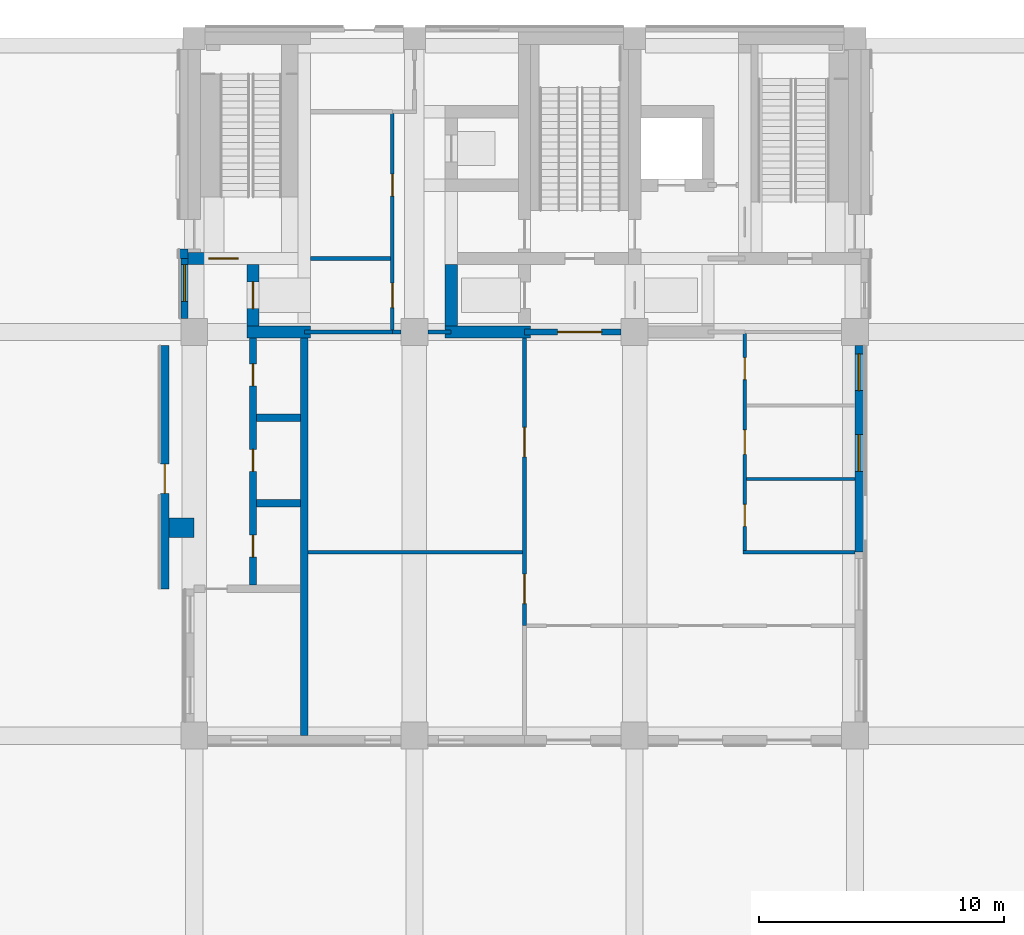
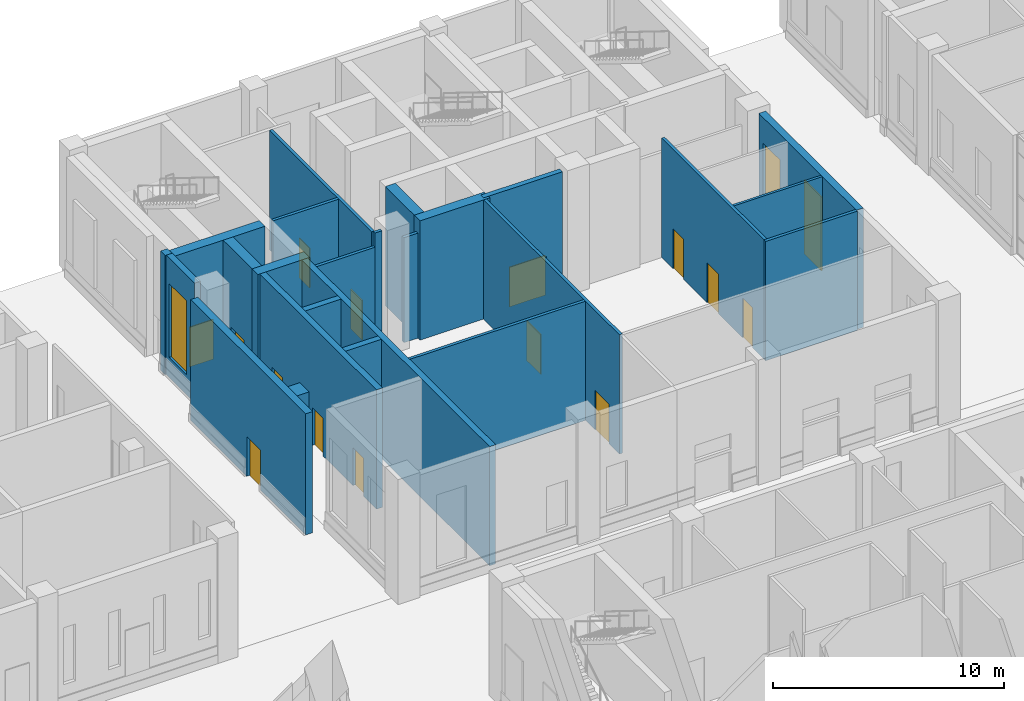
# One storey, part 13 of 35: 25 walls, 14 doors, 3 windows, 17 openings.
"""IFC4 building model written with IfcOpenShell, lengths in metres."""

import ifcopenshell
import ifcopenshell.guid

model = None  # the IFC model being written
_history = None  # IfcOwnerHistory: only IFC2X3 demands one
_inside = {}  # id of a spatial element -> (the spatial element, [elements in it])
_under = {}  # id of a project, library or spatial element -> (it, [spatial elements below it])
_declared = {}  # id of a project -> (the project, [libraries it declares])
_typed = {}  # id of a type object -> (the type object, [elements of that type])
_made_of = {}  # id of a material, layer set ... -> (it, [elements and type objects made of it])


def new_model(schema):
    """Start an empty IFC model of exactly this schema.

    Asked for "IFC4X3", IfcOpenShell would pick the latest addendum, in which some entities
    have other attributes; the version numbers below select the first issue.
    IFC2X3 requires an IfcOwnerHistory on every rooted entity: one is made here for all.
    """
    global model, _history
    if schema == "IFC4X3":
        model = ifcopenshell.file(schema_version=(4, 3, 0, 0))
    else:
        model = ifcopenshell.file(schema=schema)
    _inside.clear()
    _under.clear()
    _declared.clear()
    _typed.clear()
    _made_of.clear()
    _history = None
    if model.schema == "IFC2X3":
        org = make("IfcOrganization", Name="unknown")
        user = make(
            "IfcPersonAndOrganization",
            ThePerson=make("IfcPerson", FamilyName="unknown"),
            TheOrganization=org,
        )
        app = make(
            "IfcApplication",
            ApplicationDeveloper=org,
            Version="unknown",
            ApplicationFullName="unknown",
            ApplicationIdentifier="unknown",
        )
        _history = make(
            "IfcOwnerHistory",
            OwningUser=user,
            OwningApplication=app,
            ChangeAction="ADDED",
            CreationDate=0,
        )
    return model


def make(cls, **values):
    """One entity of the class cls with the attributes given. An attribute that is None is left unset."""
    return model.create_entity(
        cls, **{name: value for name, value in values.items() if value is not None}
    )


def rooted(cls, **values):
    """An entity with a GlobalId (a new one), such as an element, a storey or a relation."""
    return make(cls, GlobalId=ifcopenshell.guid.new(), OwnerHistory=_history, **values)


def si_unit(unit_type, name, prefix=None):
    """IfcSIUnit, for example si_unit("LENGTHUNIT", "METRE", prefix="MILLI")."""
    return make("IfcSIUnit", UnitType=unit_type, Prefix=prefix, Name=name)


def assignment(units):
    """IfcUnitAssignment: the units of a project."""
    return None if units is None else make("IfcUnitAssignment", Units=units)


def point(xyz):
    """IfcCartesianPoint."""
    return None if xyz is None else make("IfcCartesianPoint", Coordinates=xyz)


def direction(xyz):
    """IfcDirection."""
    return None if xyz is None else make("IfcDirection", DirectionRatios=xyz)


def frame(location, z_axis=None, x_axis=None):
    """IfcAxis2Placement3D, a coordinate frame: its origin and axes. An axis left out is left unset."""
    return make(
        "IfcAxis2Placement3D",
        Location=point(location),
        Axis=direction(z_axis),
        RefDirection=direction(x_axis),
    )


def frame_2d(location, x_axis=None):
    """IfcAxis2Placement2D, a coordinate frame in the plane: its origin and x axis."""
    return make(
        "IfcAxis2Placement2D", Location=point(location), RefDirection=direction(x_axis)
    )


def origin():
    """The frame at (0, 0, 0) with its axes left unset."""
    return frame((0.0, 0.0, 0.0))


def place(relative_to, where):
    """IfcLocalPlacement: puts the frame where relative to a parent placement (None: the world)."""
    return make(
        "IfcLocalPlacement", PlacementRelTo=relative_to, RelativePlacement=where
    )


def context(
    kind, dimensions, precision=None, world=None, true_north=None, identifier=None
):
    """IfcGeometricRepresentationContext, for example the 3D "Model" context."""
    return make(
        "IfcGeometricRepresentationContext",
        ContextIdentifier=identifier,
        ContextType=kind,
        CoordinateSpaceDimension=dimensions,
        Precision=precision,
        WorldCoordinateSystem=world,
        TrueNorth=true_north,
    )


def subcontext(parent, identifier, kind, view, scale=None):
    """IfcGeometricRepresentationSubContext, for example "Body" below "Model"."""
    return make(
        "IfcGeometricRepresentationSubContext",
        ContextIdentifier=identifier,
        ContextType=kind,
        ParentContext=parent,
        TargetScale=scale,
        TargetView=view,
    )


def project(units=None, contexts=None):
    """IfcProject with its units and contexts."""
    return rooted(
        "IfcProject",
        Name="project",
        RepresentationContexts=contexts,
        UnitsInContext=assignment(units),
    )


def spatial(cls, under=None, at=None, **own):
    """A site, building, storey or space (cls), placed at a placement, below another one or the project."""
    s = rooted(cls, ObjectPlacement=at, **own)
    if under is not None:
        _under.setdefault(under.id(), (under, []))[1].append(s)
    return s


def profile(cls, at=None, kind="AREA", **sizes):
    """A parametric profile (cls). Its sizes go by their IFC names, for example OverallWidth=200.0."""
    return make(cls, ProfileType=kind, Position=at, **sizes)


def rectangle(**sizes):
    """IfcRectangleProfileDef."""
    return profile("IfcRectangleProfileDef", **sizes)


def extrude(swept, where, along, depth):
    """IfcExtrudedAreaSolid: the profile swept, set in the frame where, extruded along a direction by depth."""
    return make(
        "IfcExtrudedAreaSolid",
        SweptArea=swept,
        Position=where,
        ExtrudedDirection=direction(along),
        Depth=depth,
    )


def shape(context_of_items, identifier, shape_type, items):
    """IfcShapeRepresentation: the items that make up one representation, for example the "Body"."""
    return make(
        "IfcShapeRepresentation",
        ContextOfItems=context_of_items,
        RepresentationIdentifier=identifier,
        RepresentationType=shape_type,
        Items=items,
    )


def material(Name=None, Category=None):
    """IfcMaterial."""
    return make("IfcMaterial", Name=Name, Category=Category)


def layer(
    of_material, thickness, ventilated=None, Name=None, Category=None, Priority=None
):
    """IfcMaterialLayer: one layer of a wall or slab, of a material (None: an air gap)."""
    return make(
        "IfcMaterialLayer",
        Material=of_material,
        LayerThickness=thickness,
        IsVentilated=ventilated,
        Name=Name,
        Category=Category,
        Priority=Priority,
    )


def layer_set(layers, Name=None):
    """IfcMaterialLayerSet."""
    return make("IfcMaterialLayerSet", MaterialLayers=layers, LayerSetName=Name)


def made_of(thing, what):
    """Note that an element or type object is made of a material, layer set ...; save() writes the relation."""
    if what is not None:
        _made_of.setdefault(what.id(), (what, []))[1].append(thing)
    return thing


def type_object(cls, material=None, **own):
    """A type object (cls), such as IfcWallType, which elements share."""
    return made_of(rooted(cls, **own), material)


def element(
    cls,
    number,
    at=None,
    inside=None,
    cuts=None,
    type_object=None,
    material=None,
    context=None,
    identifier="Body",
    shape_type=None,
    held_by="IfcProductDefinitionShape",
    body=None,
    shapes=None,
    **own,
):
    """One element of the class cls, such as IfcWall. Its Tag is "e" and its number.

    at: its placement. inside: the storey or other place that contains it. cuts: it is an
    opening in that element (IfcRelVoidsElement). A single representation is given by context,
    identifier, shape_type and body (its items); several are given by shapes. held_by: the class
    of the entity that holds the representations. save() writes the other relations.
    """
    e = rooted(cls, Tag="e%d" % number, ObjectPlacement=at, **own)
    if body is not None:
        shapes = [shape(context, identifier, shape_type, body)]
    if shapes is not None:
        e.Representation = make(held_by, Representations=shapes)
    if inside is not None:
        _inside.setdefault(inside.id(), (inside, []))[1].append(e)
    if cuts is not None:
        rooted(
            "IfcRelVoidsElement", RelatingBuildingElement=cuts, RelatedOpeningElement=e
        )
    if type_object is not None:
        _typed.setdefault(type_object.id(), (type_object, []))[1].append(e)
    return made_of(e, material)


def fill(opening, filler):
    """IfcRelFillsElement: the door or window that sits in an opening."""
    return rooted(
        "IfcRelFillsElement",
        RelatingOpeningElement=opening,
        RelatedBuildingElement=filler,
    )


def aggregate(whole, parts):
    """IfcRelAggregates: a whole, such as a stair, and the parts it consists of."""
    return rooted("IfcRelAggregates", RelatingObject=whole, RelatedObjects=parts)


def save(model, path):
    """Write the relations noted so far, then the file.

    IfcRelAggregates (storeys below a building ...), IfcRelContainedInSpatialStructure (elements
    in a storey), IfcRelDefinesByType, IfcRelAssociatesMaterial and IfcRelDeclares: one each for
    every whole, place, type object, material and project.
    """
    for whole, parts in _under.values():
        aggregate(whole, parts)
    for where, things in _inside.values():
        rooted(
            "IfcRelContainedInSpatialStructure",
            RelatedElements=things,
            RelatingStructure=where,
        )
    for kind, things in _typed.values():
        rooted("IfcRelDefinesByType", RelatedObjects=things, RelatingType=kind)
    for what, things in _made_of.values():
        rooted("IfcRelAssociatesMaterial", RelatedObjects=things, RelatingMaterial=what)
    for by, libraries in _declared.values():
        rooted("IfcRelDeclares", RelatingContext=by, RelatedDefinitions=libraries)
    model.write(path)


model = new_model("IFC4")

# Units and contexts
model_context = context("Model", 3, precision=1e-05, world=origin(), true_north=direction((0.0, 1.0)))
body_context = subcontext(model_context, "Body", "Model", "MODEL_VIEW")
ifc_project = project(units=[si_unit("LENGTHUNIT", "METRE"), si_unit("AREAUNIT", "SQUARE_METRE"), si_unit("VOLUMEUNIT", "CUBIC_METRE"), si_unit("PLANEANGLEUNIT", "RADIAN"), si_unit("MASSUNIT", "GRAM", prefix="KILO")], contexts=[model_context])

# Site, building, storey
site_placement = place(None, origin())
site = spatial("IfcSite", under=ifc_project, at=site_placement, CompositionType="ELEMENT")
building_placement = place(site_placement, origin())
building = spatial("IfcBuilding", under=site, at=building_placement, Name="Aurelan Courthouse", CompositionType="ELEMENT")
storey_placement = place(building_placement, origin())
storey = spatial("IfcBuildingStorey", under=building, at=storey_placement, Name="L00", CompositionType="ELEMENT", Elevation=0.0)

# Walls
ifc_material_1 = material(Name="Gypsum board on metal studs")
ifc_layer_1 = layer(ifc_material_1, 0.14990234375)
ifc_layer_set_1 = layer_set([ifc_layer_1], Name="Gypsum board on metal studs")
wall_type_1 = type_object("IfcWallType", Name="Corridor partition 150 EI 60", PredefinedType="PARTITIONING", material=ifc_layer_set_1)
wall_1_placement = place(storey_placement, frame((58.425048828125, 45.0, 0.0), z_axis=(0.0, 0.0, 1.0), x_axis=(1.0, 0.0, 0.0)))
element("IfcWall", 1, at=wall_1_placement, inside=storey, type_object=wall_type_1, Name="Corridor partition L00-029", PredefinedType="PARTITIONING", context=body_context, shape_type="SweptSolid", body=[
    extrude(rectangle(XDim=4.574951171875, YDim=0.14990234375, at=frame_2d((2.28759765625, 0.0))), origin(), (0.0, 0.0, 1.0), 6.300048828125),
])
wall_2_placement = place(storey_placement, frame((44.10009765625, 54.0, 0.0), z_axis=(0.0, 0.0, 1.0), x_axis=(1.0, 0.0, 0.0)))
element("IfcWall", 2, at=wall_2_placement, inside=storey, type_object=wall_type_1, Name="Corridor partition L00-041", PredefinedType="PARTITIONING", context=body_context, shape_type="SweptSolid", body=[
    extrude(rectangle(XDim=0.349853515625, YDim=0.14990234375, at=frame_2d((0.1748046875, 0.0))), origin(), (0.0, 0.0, 1.0), 6.300048828125),
])
wall_3_placement = place(storey_placement, frame((45.550048828125, 54.0, 0.0), z_axis=(0.0, 0.0, 1.0), x_axis=(1.0, 0.0, 0.0)))
element("IfcWall", 3, at=wall_3_placement, inside=storey, type_object=wall_type_1, Name="Corridor partition L00-042", PredefinedType="PARTITIONING", context=body_context, shape_type="SweptSolid", body=[
    extrude(rectangle(XDim=0.949951171875, YDim=0.14990234375, at=frame_2d((0.47509765625, 0.0))), origin(), (0.0, 0.0, 1.0), 5.550048828125),
])

# Wall, openings, doors
wall_4_placement = place(storey_placement, frame((44.10009765625, 54.074951171875, 0.0), z_axis=(0.0, 0.0, 1.0), x_axis=(0.0, 1.0, 0.0)))
wall_4 = element("IfcWall", 4, at=wall_4_placement, inside=storey, type_object=wall_type_1, Name="Corridor partition L00-074", PredefinedType="PARTITIONING", context=body_context, shape_type="SweptSolid", body=[
    extrude(rectangle(XDim=8.85009765625, YDim=0.14990234375, at=frame_2d((4.425048828125, 0.0))), origin(), (0.0, 0.0, 1.0), 6.300048828125),
])
opening_1_placement = place(wall_4_placement, frame((0.925048828125, 0.0, 0.0)))
opening_1 = element("IfcOpeningElement", 5, at=opening_1_placement, cuts=wall_4, Name="Opening D-L00-050", PredefinedType="OPENING", context=body_context, shape_type="SweptSolid", body=[
    extrude(rectangle(XDim=1.0, YDim=2.10009765625, at=frame_2d((0.5, 1.050048828125))), frame((0.0, 0.0849609375, 0.0), z_axis=(0.0, -1.0, 0.0), x_axis=(1.0, 0.0, 0.0)), (0.0, 0.0, 1.0), 0.169921875),
])
opening_2_placement = place(wall_4_placement, frame((5.47509765625, 0.0, 0.0)))
opening_2 = element("IfcOpeningElement", 6, at=opening_2_placement, cuts=wall_4, Name="Opening D-L00-051", PredefinedType="OPENING", context=body_context, shape_type="SweptSolid", body=[
    extrude(rectangle(XDim=0.89990234375, YDim=2.10009765625, at=frame_2d((0.449951171875, 1.050048828125))), frame((0.0, 0.0849609375, 0.0), z_axis=(0.0, -1.0, 0.0), x_axis=(1.0, 0.0, 0.0)), (0.0, 0.0, 1.0), 0.169921875),
])
ifc_material_2 = material(Name="Steel", Category="steel")
door_type_1 = type_object("IfcDoorType", Name="Single door 1000 x 2100 FD60", OperationType="SINGLE_SWING_LEFT", PredefinedType="DOOR", material=ifc_material_2)
door_1_placement = place(opening_1_placement, origin())
door_1 = element("IfcDoor", 7, at=door_1_placement, inside=storey, type_object=door_type_1, Name="Single door D-L00-050", OperationType="SINGLE_SWING_LEFT", OverallHeight=2.10009765625, OverallWidth=1.0, PredefinedType="DOOR", context=body_context, shape_type="SweptSolid", body=[
    extrude(rectangle(XDim=1.0, YDim=2.10009765625, at=frame_2d((0.5, 1.050048828125))), frame((0.0, 0.02490234375, 0.0), z_axis=(0.0, -1.0, 0.0), x_axis=(1.0, 0.0, 0.0)), (0.0, 0.0, 1.0), 0.050048828125),
])
fill(opening_1, door_1)
door_type_2 = type_object("IfcDoorType", Name="Single door 900 x 2100 FD60", OperationType="SINGLE_SWING_LEFT", PredefinedType="DOOR", material=ifc_material_2)
door_2_placement = place(opening_2_placement, origin())
door_2 = element("IfcDoor", 8, at=door_2_placement, inside=storey, type_object=door_type_2, Name="Single door D-L00-051", OperationType="SINGLE_SWING_RIGHT", OverallHeight=2.10009765625, OverallWidth=0.89990234375, PredefinedType="DOOR", context=body_context, shape_type="SweptSolid", body=[
    extrude(rectangle(XDim=0.89990234375, YDim=2.10009765625, at=frame_2d((0.449951171875, 1.050048828125))), frame((0.0, 0.02490234375, 0.0), z_axis=(0.0, -1.0, 0.0), x_axis=(1.0, 0.0, 0.0)), (0.0, 0.0, 1.0), 0.050048828125),
])
fill(opening_2, door_2)

wall_5_placement = place(storey_placement, frame((49.5, 42.0, 0.0), z_axis=(0.0, 0.0, 1.0), x_axis=(0.0, 1.0, 0.0)))
wall_5 = element("IfcWall", 9, at=wall_5_placement, inside=storey, type_object=wall_type_1, Name="Corridor partition L00-082", PredefinedType="PARTITIONING", context=body_context, shape_type="SweptSolid", body=[
    extrude(rectangle(XDim=12.0, YDim=0.14990234375, at=frame_2d((6.0, 0.0))), origin(), (0.0, 0.0, 1.0), 6.300048828125),
])
opening_3_placement = place(wall_5_placement, frame((0.89990234375, 0.0, 0.0)))
opening_3 = element("IfcOpeningElement", 10, at=opening_3_placement, cuts=wall_5, Name="Opening D-L00-043", PredefinedType="OPENING", context=body_context, shape_type="SweptSolid", body=[
    extrude(rectangle(XDim=1.199951171875, YDim=2.10009765625, at=frame_2d((0.60009765625, 1.050048828125))), frame((0.0, 0.0849609375, 0.0), z_axis=(0.0, -1.0, 0.0), x_axis=(1.0, 0.0, 0.0)), (0.0, 0.0, 1.0), 0.169921875),
])
opening_4_placement = place(wall_5_placement, frame((6.89990234375, 0.0, 0.0)))
opening_4 = element("IfcOpeningElement", 11, at=opening_4_placement, cuts=wall_5, Name="Opening D-L00-044", PredefinedType="OPENING", context=body_context, shape_type="SweptSolid", body=[
    extrude(rectangle(XDim=1.199951171875, YDim=2.10009765625, at=frame_2d((0.60009765625, 1.050048828125))), frame((0.0, 0.0849609375, 0.0), z_axis=(0.0, -1.0, 0.0), x_axis=(1.0, 0.0, 0.0)), (0.0, 0.0, 1.0), 0.169921875),
])
door_type_3 = type_object("IfcDoorType", Name="Single door 1200 x 2100 FD60", OperationType="SINGLE_SWING_LEFT", PredefinedType="DOOR", material=ifc_material_2)
door_3_placement = place(opening_3_placement, origin())
door_3 = element("IfcDoor", 12, at=door_3_placement, inside=storey, type_object=door_type_3, Name="Single door D-L00-043", OperationType="SINGLE_SWING_RIGHT", OverallHeight=2.10009765625, OverallWidth=1.199951171875, PredefinedType="DOOR", context=body_context, shape_type="SweptSolid", body=[
    extrude(rectangle(XDim=1.199951171875, YDim=2.10009765625, at=frame_2d((0.60009765625, 1.050048828125))), frame((0.0, 0.02490234375, 0.0), z_axis=(0.0, -1.0, 0.0), x_axis=(1.0, 0.0, 0.0)), (0.0, 0.0, 1.0), 0.050048828125),
])
fill(opening_3, door_3)
door_4_placement = place(opening_4_placement, origin())
door_4 = element("IfcDoor", 13, at=door_4_placement, inside=storey, type_object=door_type_3, Name="Single door D-L00-044", OperationType="SINGLE_SWING_LEFT", OverallHeight=2.10009765625, OverallWidth=1.199951171875, PredefinedType="DOOR", context=body_context, shape_type="SweptSolid", body=[
    extrude(rectangle(XDim=1.199951171875, YDim=2.10009765625, at=frame_2d((0.60009765625, 1.050048828125))), frame((0.0, 0.02490234375, 0.0), z_axis=(0.0, -1.0, 0.0), x_axis=(1.0, 0.0, 0.0)), (0.0, 0.0, 1.0), 0.050048828125),
])
fill(opening_4, door_4)

wall_6_placement = place(storey_placement, frame((58.5, 45.074951171875, 0.0), z_axis=(0.0, 0.0, 1.0), x_axis=(0.0, 1.0, 0.0)))
wall_6 = element("IfcWall", 14, at=wall_6_placement, inside=storey, type_object=wall_type_1, Name="Corridor partition L00-091", PredefinedType="PARTITIONING", context=body_context, shape_type="SweptSolid", body=[
    extrude(rectangle(XDim=8.862548828125, YDim=0.14990234375, at=frame_2d((4.43115234375, 0.0))), origin(), (0.0, 0.0, 1.0), 6.300048828125),
])
opening_5_placement = place(wall_6_placement, frame((1.875, 0.0, 0.0), z_axis=(0.0, 0.0, 1.0), x_axis=(-1.0, 0.0, 0.0)))
opening_5 = element("IfcOpeningElement", 15, at=opening_5_placement, cuts=wall_6, Name="Opening D-L00-045", PredefinedType="OPENING", context=body_context, shape_type="SweptSolid", body=[
    extrude(rectangle(XDim=0.89990234375, YDim=2.10009765625, at=frame_2d((0.449951171875, 1.050048828125))), frame((0.0, 0.0849609375, 0.0), z_axis=(0.0, -1.0, 0.0), x_axis=(1.0, 0.0, 0.0)), (0.0, 0.0, 1.0), 0.169921875),
])
opening_6_placement = place(wall_6_placement, frame((4.925048828125, 0.0, 0.0), z_axis=(0.0, 0.0, 1.0), x_axis=(-1.0, 0.0, 0.0)))
opening_6 = element("IfcOpeningElement", 16, at=opening_6_placement, cuts=wall_6, Name="Opening D-L00-046", PredefinedType="OPENING", context=body_context, shape_type="SweptSolid", body=[
    extrude(rectangle(XDim=1.0, YDim=2.10009765625, at=frame_2d((0.5, 1.050048828125))), frame((0.0, 0.0849609375, 0.0), z_axis=(0.0, -1.0, 0.0), x_axis=(1.0, 0.0, 0.0)), (0.0, 0.0, 1.0), 0.169921875),
])
opening_7_placement = place(wall_6_placement, frame((7.875, 0.0, 0.0), z_axis=(0.0, 0.0, 1.0), x_axis=(-1.0, 0.0, 0.0)))
opening_7 = element("IfcOpeningElement", 17, at=opening_7_placement, cuts=wall_6, Name="Opening D-L00-047", PredefinedType="OPENING", context=body_context, shape_type="SweptSolid", body=[
    extrude(rectangle(XDim=0.89990234375, YDim=2.10009765625, at=frame_2d((0.449951171875, 1.050048828125))), frame((0.0, 0.0849609375, 0.0), z_axis=(0.0, -1.0, 0.0), x_axis=(1.0, 0.0, 0.0)), (0.0, 0.0, 1.0), 0.169921875),
])
door_5_placement = place(opening_6_placement, origin())
door_5 = element("IfcDoor", 18, at=door_5_placement, inside=storey, type_object=door_type_1, Name="Single door D-L00-046", OperationType="SINGLE_SWING_RIGHT", OverallHeight=2.10009765625, OverallWidth=1.0, PredefinedType="DOOR", context=body_context, shape_type="SweptSolid", body=[
    extrude(rectangle(XDim=1.0, YDim=2.10009765625, at=frame_2d((0.5, 1.050048828125))), frame((0.0, 0.02490234375, 0.0), z_axis=(0.0, -1.0, 0.0), x_axis=(1.0, 0.0, 0.0)), (0.0, 0.0, 1.0), 0.050048828125),
])
fill(opening_6, door_5)
door_6_placement = place(opening_5_placement, origin())
door_6 = element("IfcDoor", 19, at=door_6_placement, inside=storey, type_object=door_type_2, Name="Single door D-L00-045", OperationType="SINGLE_SWING_LEFT", OverallHeight=2.10009765625, OverallWidth=0.89990234375, PredefinedType="DOOR", context=body_context, shape_type="SweptSolid", body=[
    extrude(rectangle(XDim=0.89990234375, YDim=2.10009765625, at=frame_2d((0.449951171875, 1.050048828125))), frame((0.0, 0.02490234375, 0.0), z_axis=(0.0, -1.0, 0.0), x_axis=(1.0, 0.0, 0.0)), (0.0, 0.0, 1.0), 0.050048828125),
])
fill(opening_5, door_6)
door_7_placement = place(opening_7_placement, origin())
door_7 = element("IfcDoor", 20, at=door_7_placement, inside=storey, type_object=door_type_2, Name="Single door D-L00-047", OperationType="SINGLE_SWING_LEFT", OverallHeight=2.10009765625, OverallWidth=0.89990234375, PredefinedType="DOOR", context=body_context, shape_type="SweptSolid", body=[
    extrude(rectangle(XDim=0.89990234375, YDim=2.10009765625, at=frame_2d((0.449951171875, 1.050048828125))), frame((0.0, 0.02490234375, 0.0), z_axis=(0.0, -1.0, 0.0), x_axis=(1.0, 0.0, 0.0)), (0.0, 0.0, 1.0), 0.050048828125),
])
fill(opening_7, door_7)

# Wall, opening, window
ifc_material_3 = material(Name="Granite cladding", Category="masonry")
ifc_layer_2 = layer(ifc_material_3, 0.0849609375, Name="Facing")
ifc_material_4 = material(Name="Ventilated cavity")
ifc_layer_3 = layer(ifc_material_4, 0.02490234375, ventilated=True, Name="Ventilated cavity")
ifc_material_5 = material(Name="Mineral wool insulation")
ifc_layer_4 = layer(ifc_material_5, 0.044921875, Name="Insulation")
ifc_material_6 = material(Name="Concrete C30", Category="concrete")
ifc_layer_5 = layer(ifc_material_6, 0.14501953125, Name="Structure")
ifc_layer_set_2 = layer_set([ifc_layer_2, ifc_layer_3, ifc_layer_4, ifc_layer_5], Name="Concrete C30")
wall_type_2 = type_object("IfcWallType", Name="Courtroom Block granite-faced wall 300", PredefinedType="SOLIDWALL", material=ifc_layer_set_2)
wall_7_placement = place(storey_placement, frame((35.60009765625, 54.550048828125, 0.0), z_axis=(0.0, 0.0, 1.0), x_axis=(0.0, 1.0, 0.0)))
wall_7 = element("IfcWall", 21, at=wall_7_placement, inside=storey, type_object=wall_type_2, Name="Facade wall FW-V2-L00-015", PredefinedType="SOLIDWALL", context=body_context, shape_type="SweptSolid", body=[
    extrude(rectangle(XDim=2.449951171875, YDim=0.300048828125, at=frame_2d((1.22509765625, 0.0))), origin(), (0.0, 0.0, 1.0), 6.300048828125),
])
opening_8_placement = place(wall_7_placement, frame((0.699951171875, 0.0, 1.050048828125)))
opening_8 = element("IfcOpeningElement", 22, at=opening_8_placement, cuts=wall_7, Name="Opening WN-V2-L00-015", PredefinedType="OPENING", context=body_context, shape_type="SweptSolid", body=[
    extrude(rectangle(XDim=1.5, YDim=3.89990234375, at=frame_2d((0.75, 1.949951171875))), frame((0.0, 0.159912109375, 0.0), z_axis=(0.0, -1.0, 0.0), x_axis=(1.0, 0.0, 0.0)), (0.0, 0.0, 1.0), 0.320068359375),
])
ifc_material_7 = material(Name="Bronze-finished aluminium and glass", Category="aluminium")
window_type = type_object("IfcWindowType", Name="Courtroom Block glazed slot 1500 x 3900, sill 1050", PartitioningType="SINGLE_PANEL", PredefinedType="WINDOW", material=ifc_material_7)
window_1_placement = place(opening_8_placement, origin())
window_1 = element("IfcWindow", 23, at=window_1_placement, inside=storey, type_object=window_type, Name="Glazed slot WN-V2-L00-015", OverallHeight=3.89990234375, OverallWidth=1.5, PartitioningType="SINGLE_PANEL", PredefinedType="WINDOW", context=body_context, shape_type="SweptSolid", body=[
    extrude(rectangle(XDim=1.5, YDim=3.89990234375, at=frame_2d((0.75, 1.949951171875))), frame((0.0, 0.030029296875, 0.0), z_axis=(0.0, -1.0, 0.0), x_axis=(1.0, 0.0, 0.0)), (0.0, 0.0, 1.0), 0.06005859375),
])
fill(opening_8, window_1)

# Wall, openings, windows
ifc_layer_6 = layer(ifc_material_3, 0.10009765625, Name="Facing")
ifc_layer_7 = layer(ifc_material_4, 0.02490234375, ventilated=True, Name="Ventilated cavity")
ifc_layer_8 = layer(ifc_material_5, 0.050048828125, Name="Insulation")
ifc_layer_9 = layer(ifc_material_6, 0.175048828125, Name="Structure")
ifc_layer_set_3 = layer_set([ifc_layer_6, ifc_layer_7, ifc_layer_8, ifc_layer_9], Name="Concrete C30")
wall_type_3 = type_object("IfcWallType", Name="Courtroom Block granite-faced wall 350", PredefinedType="SOLIDWALL", material=ifc_layer_set_3)
wall_8_placement = place(storey_placement, frame((63.175048828125, 45.0, 0.0), z_axis=(0.0, 0.0, 1.0), x_axis=(0.0, 1.0, 0.0)))
wall_8 = element("IfcWall", 24, at=wall_8_placement, inside=storey, type_object=wall_type_3, Name="Facade wall FW-V2-L00-009", PredefinedType="SOLIDWALL", context=body_context, shape_type="SweptSolid", body=[
    extrude(rectangle(XDim=8.449951171875, YDim=0.35009765625, at=frame_2d((4.22509765625, 0.0))), origin(), (0.0, 0.0, 1.0), 6.300048828125),
])
opening_9_placement = place(wall_8_placement, frame((3.300048828125, 0.0, 1.050048828125)))
opening_9 = element("IfcOpeningElement", 25, at=opening_9_placement, cuts=wall_8, Name="Opening WN-V2-L00-010", PredefinedType="OPENING", context=body_context, shape_type="SweptSolid", body=[
    extrude(rectangle(XDim=1.5, YDim=3.89990234375, at=frame_2d((0.75, 1.949951171875))), frame((0.0, 0.18505859375, 0.0), z_axis=(0.0, -1.0, 0.0), x_axis=(1.0, 0.0, 0.0)), (0.0, 0.0, 1.0), 0.3701171875),
])
opening_10_placement = place(wall_8_placement, frame((6.60009765625, 0.0, 1.050048828125)))
opening_10 = element("IfcOpeningElement", 26, at=opening_10_placement, cuts=wall_8, Name="Opening WN-V2-L00-011", PredefinedType="OPENING", context=body_context, shape_type="SweptSolid", body=[
    extrude(rectangle(XDim=1.5, YDim=3.89990234375, at=frame_2d((0.75, 1.949951171875))), frame((0.0, 0.18505859375, 0.0), z_axis=(0.0, -1.0, 0.0), x_axis=(1.0, 0.0, 0.0)), (0.0, 0.0, 1.0), 0.3701171875),
])
window_2_placement = place(opening_9_placement, origin())
window_2 = element("IfcWindow", 27, at=window_2_placement, inside=storey, type_object=window_type, Name="Glazed slot WN-V2-L00-010", OverallHeight=3.89990234375, OverallWidth=1.5, PartitioningType="SINGLE_PANEL", PredefinedType="WINDOW", context=body_context, shape_type="SweptSolid", body=[
    extrude(rectangle(XDim=1.5, YDim=3.89990234375, at=frame_2d((0.75, 1.949951171875))), frame((0.0, 0.030029296875, 0.0), z_axis=(0.0, -1.0, 0.0), x_axis=(1.0, 0.0, 0.0)), (0.0, 0.0, 1.0), 0.06005859375),
])
fill(opening_9, window_2)
window_3_placement = place(opening_10_placement, origin())
window_3 = element("IfcWindow", 28, at=window_3_placement, inside=storey, type_object=window_type, Name="Glazed slot WN-V2-L00-011", OverallHeight=3.89990234375, OverallWidth=1.5, PartitioningType="SINGLE_PANEL", PredefinedType="WINDOW", context=body_context, shape_type="SweptSolid", body=[
    extrude(rectangle(XDim=1.5, YDim=3.89990234375, at=frame_2d((0.75, 1.949951171875))), frame((0.0, 0.030029296875, 0.0), z_axis=(0.0, -1.0, 0.0), x_axis=(1.0, 0.0, 0.0)), (0.0, 0.0, 1.0), 0.06005859375),
])
fill(opening_10, window_3)

# Wall, opening, door
wall_9_placement = place(storey_placement, frame((34.800048828125, 43.5, 0.0), z_axis=(0.0, 0.0, 1.0), x_axis=(0.0, 1.0, 0.0)))
wall_9 = element("IfcWall", 29, at=wall_9_placement, inside=storey, type_object=wall_type_3, Name="Facade wall FW-V2-L00-014", PredefinedType="SOLIDWALL", context=body_context, shape_type="SweptSolid", body=[
    extrude(rectangle(XDim=9.949951171875, YDim=0.35009765625, at=frame_2d((4.97509765625, 0.0))), origin(), (0.0, 0.0, 1.0), 6.39990234375),
])
opening_11_placement = place(wall_9_placement, frame((3.89990234375, 0.0, 0.0)))
opening_11 = element("IfcOpeningElement", 30, at=opening_11_placement, cuts=wall_9, Name="Opening D-L00-031", PredefinedType="OPENING", context=body_context, shape_type="SweptSolid", body=[
    extrude(rectangle(XDim=1.199951171875, YDim=2.10009765625, at=frame_2d((0.60009765625, 1.050048828125))), frame((0.0, 0.18505859375, 0.0), z_axis=(0.0, -1.0, 0.0), x_axis=(1.0, 0.0, 0.0)), (0.0, 0.0, 1.0), 0.3701171875),
])
ifc_material_8 = material(Name="Bronze-clad timber", Category="wood")
door_type_4 = type_object("IfcDoorType", Name="Bronze single door 1200 x 2100", OperationType="SINGLE_SWING_LEFT", PredefinedType="DOOR", material=ifc_material_8)
door_8_placement = place(opening_11_placement, origin())
door_8 = element("IfcDoor", 31, at=door_8_placement, inside=storey, type_object=door_type_4, Name="Exit door D-L00-031", OperationType="SINGLE_SWING_RIGHT", OverallHeight=2.10009765625, OverallWidth=1.199951171875, PredefinedType="DOOR", context=body_context, shape_type="SweptSolid", body=[
    extrude(rectangle(XDim=1.199951171875, YDim=2.10009765625, at=frame_2d((0.60009765625, 1.050048828125))), frame((0.0, 0.02490234375, 0.0), z_axis=(0.0, -1.0, 0.0), x_axis=(1.0, 0.0, 0.0)), (0.0, 0.0, 1.0), 0.050048828125),
])
fill(opening_11, door_8)

# Walls
wall_10_placement = place(storey_placement, frame((35.574951171875, 57.0, 0.0), z_axis=(0.0, 0.0, 1.0), x_axis=(0.0, 1.0, 0.0)))
element("IfcWall", 32, at=wall_10_placement, inside=storey, type_object=wall_type_3, Name="Facade wall FW-V2-L00-016", PredefinedType="SOLIDWALL", context=body_context, shape_type="SweptSolid", body=[
    extrude(rectangle(XDim=0.39990234375, YDim=0.35009765625, at=frame_2d((0.199951171875, 0.0))), origin(), (0.0, 0.0, 1.0), 6.300048828125),
])
ifc_layer_10 = layer(ifc_material_6, 0.300048828125)
ifc_layer_set_4 = layer_set([ifc_layer_10], Name="Concrete C30")
wall_type_4 = type_object("IfcWallType", Name="Custody wall 300 EI 120", PredefinedType="PARTITIONING", material=ifc_layer_set_4)
for number, where, z_axis, x_axis, name in (
    (33, (38.550048828125, 47.0, 0.0), (0.0, 0.0, 1.0), (1.0, 0.0, 0.0), "Custody wall L00-032"),
    (34, (38.550048828125, 50.5, 0.0), (0.0, 0.0, 1.0), (1.0, 0.0, 0.0), "Custody wall L00-037"),
):
    element("IfcWall", number, at=place(storey_placement, frame(where, z_axis=z_axis, x_axis=x_axis)), inside=storey, type_object=wall_type_4, Name=name, PredefinedType="PARTITIONING", context=body_context, shape_type="SweptSolid", body=[
        extrude(rectangle(XDim=1.800048828125, YDim=0.300048828125, at=frame_2d((0.89990234375, 0.0))), origin(), (0.0, 0.0, 1.0), 6.300048828125),
    ])

# Wall, openings, doors
wall_11_placement = place(storey_placement, frame((38.39990234375, 43.64990234375, 0.0), z_axis=(0.0, 0.0, 1.0), x_axis=(0.0, 1.0, 0.0)))
wall_11 = element("IfcWall", 35, at=wall_11_placement, inside=storey, type_object=wall_type_4, Name="Custody wall L00-072", PredefinedType="PARTITIONING", context=body_context, shape_type="SweptSolid", body=[
    extrude(rectangle(XDim=10.35009765625, YDim=0.300048828125, at=frame_2d((5.175048828125, 0.0))), origin(), (0.0, 0.0, 1.0), 6.300048828125),
])
opening_12_placement = place(wall_11_placement, frame((2.0498046875, 0.0, 0.0), z_axis=(0.0, 0.0, 1.0), x_axis=(-1.0, 0.0, 0.0)))
opening_12 = element("IfcOpeningElement", 36, at=opening_12_placement, cuts=wall_11, Name="Opening D-L00-034", PredefinedType="OPENING", context=body_context, shape_type="SweptSolid", body=[
    extrude(rectangle(XDim=0.89990234375, YDim=2.0, at=frame_2d((0.449951171875, 1.0))), frame((0.0, 0.159912109375, 0.0), z_axis=(0.0, -1.0, 0.0), x_axis=(1.0, 0.0, 0.0)), (0.0, 0.0, 1.0), 0.320068359375),
])
opening_13_placement = place(wall_11_placement, frame((5.5498046875, 0.0, 0.0), z_axis=(0.0, 0.0, 1.0), x_axis=(-1.0, 0.0, 0.0)))
opening_13 = element("IfcOpeningElement", 37, at=opening_13_placement, cuts=wall_11, Name="Opening D-L00-035", PredefinedType="OPENING", context=body_context, shape_type="SweptSolid", body=[
    extrude(rectangle(XDim=0.89990234375, YDim=2.0, at=frame_2d((0.449951171875, 1.0))), frame((0.0, 0.159912109375, 0.0), z_axis=(0.0, -1.0, 0.0), x_axis=(1.0, 0.0, 0.0)), (0.0, 0.0, 1.0), 0.320068359375),
])
opening_14_placement = place(wall_11_placement, frame((9.0498046875, 0.0, 0.0), z_axis=(0.0, 0.0, 1.0), x_axis=(-1.0, 0.0, 0.0)))
opening_14 = element("IfcOpeningElement", 38, at=opening_14_placement, cuts=wall_11, Name="Opening D-L00-036", PredefinedType="OPENING", context=body_context, shape_type="SweptSolid", body=[
    extrude(rectangle(XDim=0.89990234375, YDim=2.0, at=frame_2d((0.449951171875, 1.0))), frame((0.0, 0.159912109375, 0.0), z_axis=(0.0, -1.0, 0.0), x_axis=(1.0, 0.0, 0.0)), (0.0, 0.0, 1.0), 0.320068359375),
])
door_type_5 = type_object("IfcDoorType", Name="Single door 900 x 2000 FD90", OperationType="SINGLE_SWING_LEFT", PredefinedType="DOOR", material=ifc_material_2)
door_9_placement = place(opening_12_placement, origin())
door_9 = element("IfcDoor", 39, at=door_9_placement, inside=storey, type_object=door_type_5, Name="Single door D-L00-034", OperationType="SINGLE_SWING_RIGHT", OverallHeight=2.0, OverallWidth=0.89990234375, PredefinedType="DOOR", context=body_context, shape_type="SweptSolid", body=[
    extrude(rectangle(XDim=0.89990234375, YDim=2.0, at=frame_2d((0.449951171875, 1.0))), frame((0.0, 0.02490234375, 0.0), z_axis=(0.0, -1.0, 0.0), x_axis=(1.0, 0.0, 0.0)), (0.0, 0.0, 1.0), 0.050048828125),
])
fill(opening_12, door_9)
door_10_placement = place(opening_13_placement, origin())
door_10 = element("IfcDoor", 40, at=door_10_placement, inside=storey, type_object=door_type_5, Name="Single door D-L00-035", OperationType="SINGLE_SWING_LEFT", OverallHeight=2.0, OverallWidth=0.89990234375, PredefinedType="DOOR", context=body_context, shape_type="SweptSolid", body=[
    extrude(rectangle(XDim=0.89990234375, YDim=2.0, at=frame_2d((0.449951171875, 1.0))), frame((0.0, 0.02490234375, 0.0), z_axis=(0.0, -1.0, 0.0), x_axis=(1.0, 0.0, 0.0)), (0.0, 0.0, 1.0), 0.050048828125),
])
fill(opening_13, door_10)
door_11_placement = place(opening_14_placement, origin())
door_11 = element("IfcDoor", 41, at=door_11_placement, inside=storey, type_object=door_type_5, Name="Single door D-L00-036", OperationType="SINGLE_SWING_RIGHT", OverallHeight=2.0, OverallWidth=0.89990234375, PredefinedType="DOOR", context=body_context, shape_type="SweptSolid", body=[
    extrude(rectangle(XDim=0.89990234375, YDim=2.0, at=frame_2d((0.449951171875, 1.0))), frame((0.0, 0.02490234375, 0.0), z_axis=(0.0, -1.0, 0.0), x_axis=(1.0, 0.0, 0.0)), (0.0, 0.0, 1.0), 0.050048828125),
])
fill(opening_14, door_11)

# Walls
wall_12_placement = place(storey_placement, frame((40.5, 37.5, 0.0), z_axis=(0.0, 0.0, 1.0), x_axis=(0.0, 1.0, 0.0)))
element("IfcWall", 42, at=wall_12_placement, inside=storey, type_object=wall_type_4, Name="Custody wall L00-073", PredefinedType="PARTITIONING", context=body_context, shape_type="SweptSolid", body=[
    extrude(rectangle(XDim=16.5, YDim=0.300048828125, at=frame_2d((8.25, 0.0))), origin(), (0.0, 0.0, 1.0), 6.300048828125),
])
ifc_layer_11 = layer(ifc_material_1, 0.14990234375)
ifc_layer_set_5 = layer_set([ifc_layer_11], Name="Gypsum board on metal studs")
wall_type_5 = type_object("IfcWallType", Name="Partition 150 NOT RATED", PredefinedType="PARTITIONING", material=ifc_layer_set_5)
wall_13_placement = place(storey_placement, frame((40.64990234375, 45.0, 0.0), z_axis=(0.0, 0.0, 1.0), x_axis=(1.0, 0.0, 0.0)))
element("IfcWall", 43, at=wall_13_placement, inside=storey, type_object=wall_type_5, Name="Partition L00-028", PredefinedType="PARTITIONING", context=body_context, shape_type="SweptSolid", body=[
    extrude(rectangle(XDim=8.775146484375, YDim=0.14990234375, at=frame_2d((4.3876953125, 0.0))), origin(), (0.0, 0.0, 1.0), 6.300048828125),
])
wall_14_placement = place(storey_placement, frame((40.5, 54.0, 0.0), z_axis=(0.0, 0.0, 1.0), x_axis=(1.0, 0.0, 0.0)))
element("IfcWall", 44, at=wall_14_placement, inside=storey, type_object=wall_type_5, Name="Partition L00-040", PredefinedType="PARTITIONING", context=body_context, shape_type="SweptSolid", body=[
    extrude(rectangle(XDim=3.60009765625, YDim=0.14990234375, at=frame_2d((1.800048828125, 0.0))), origin(), (0.0, 0.0, 1.0), 5.550048828125),
])
wall_15_placement = place(storey_placement, frame((40.75, 57.0, 0.0), z_axis=(0.0, 0.0, 1.0), x_axis=(1.0, 0.0, 0.0)))
element("IfcWall", 45, at=wall_15_placement, inside=storey, type_object=wall_type_5, Name="Partition L00-049", PredefinedType="PARTITIONING", context=body_context, shape_type="SweptSolid", body=[
    extrude(rectangle(XDim=3.27490234375, YDim=0.14990234375, at=frame_2d((1.637451171875, 0.0))), origin(), (0.0, 0.0, 1.0), 6.300048828125),
])
ifc_material_9 = material(Name="Concrete C50", Category="concrete")
ifc_layer_12 = layer(ifc_material_9, 1.02490234375)
ifc_layer_set_6 = layer_set([ifc_layer_12], Name="Concrete C50")
wall_type_6 = type_object("IfcWallType", Name="RC bearing pier 1025 x 800", PredefinedType="SOLIDWALL", material=ifc_layer_set_6)
wall_16_placement = place(storey_placement, frame((35.487548828125, 45.60009765625, 0.0), z_axis=(0.0, 0.0, 1.0), x_axis=(0.0, 1.0, 0.0)))
element("IfcWall", 46, at=wall_16_placement, inside=storey, type_object=wall_type_6, Name="Bearing pier BP-2", PredefinedType="SOLIDWALL", context=body_context, shape_type="SweptSolid", body=[
    extrude(rectangle(XDim=0.7998046875, YDim=1.02490234375, at=frame_2d((0.39990234375, 0.0))), origin(), (0.0, 0.0, 1.0), 5.800048828125),
])
ifc_layer_13 = layer(ifc_material_9, 0.5)
ifc_layer_set_7 = layer_set([ifc_layer_13], Name="Concrete C50")
wall_type_7 = type_object("IfcWallType", Name="RC shear wall 500", PredefinedType="SHEAR", material=ifc_layer_set_7)
wall_17_placement = place(storey_placement, frame((38.14990234375, 54.0, 0.0), z_axis=(0.0, 0.0, 1.0), x_axis=(1.0, 0.0, 0.0)))
element("IfcWall", 47, at=wall_17_placement, inside=storey, type_object=wall_type_7, Name="Core wall SW-L00-050", PredefinedType="SHEAR", context=body_context, shape_type="SweptSolid", body=[
    extrude(rectangle(XDim=2.60009765625, YDim=0.5, at=frame_2d((1.300048828125, 0.0))), origin(), (0.0, 0.0, 1.0), 6.300048828125),
])
wall_18_placement = place(storey_placement, frame((46.25, 54.0, 0.0), z_axis=(0.0, 0.0, 1.0), x_axis=(1.0, 0.0, 0.0)))
element("IfcWall", 48, at=wall_18_placement, inside=storey, type_object=wall_type_7, Name="Core wall SW-L00-051", PredefinedType="SHEAR", context=body_context, shape_type="SweptSolid", body=[
    extrude(rectangle(XDim=3.5, YDim=0.5, at=frame_2d((1.75, 0.0))), origin(), (0.0, 0.0, 1.0), 6.300048828125),
])

# Wall, opening, door
wall_19_placement = place(storey_placement, frame((38.39990234375, 54.25, 0.0), z_axis=(0.0, 0.0, 1.0), x_axis=(0.0, 1.0, 0.0)))
wall_19 = element("IfcWall", 49, at=wall_19_placement, inside=storey, type_object=wall_type_7, Name="Core wall SW-L00-053", PredefinedType="SHEAR", context=body_context, shape_type="SweptSolid", body=[
    extrude(rectangle(XDim=2.5, YDim=0.5, at=frame_2d((1.25, 0.0))), origin(), (0.0, 0.0, 1.0), 6.300048828125),
])
opening_15_placement = place(wall_19_placement, frame((0.699951171875, 0.0, 0.0)))
opening_15 = element("IfcOpeningElement", 50, at=opening_15_placement, cuts=wall_19, Name="Opening LD-V2-C1-L00", PredefinedType="OPENING", context=body_context, shape_type="SweptSolid", body=[
    extrude(rectangle(XDim=1.10009765625, YDim=2.10009765625, at=frame_2d((0.550048828125, 1.050048828125))), frame((0.0, 0.260009765625, 0.0), z_axis=(0.0, -1.0, 0.0), x_axis=(1.0, 0.0, 0.0)), (0.0, 0.0, 1.0), 0.52001953125),
])
door_type_6 = type_object("IfcDoorType", Name="Lift landing door 1100 x 2100 FD90", OperationType="SLIDING_TO_LEFT", PredefinedType="DOOR", material=ifc_material_2)
door_12_placement = place(opening_15_placement, origin())
door_12 = element("IfcDoor", 51, at=door_12_placement, inside=storey, type_object=door_type_6, Name="Lift landing door LD-V2-C1-L00", OperationType="SLIDING_TO_LEFT", OverallHeight=2.10009765625, OverallWidth=1.10009765625, PredefinedType="DOOR", context=body_context, shape_type="SweptSolid", body=[
    extrude(rectangle(XDim=1.10009765625, YDim=2.10009765625, at=frame_2d((0.550048828125, 1.050048828125))), frame((0.0, 0.02490234375, 0.0), z_axis=(0.0, -1.0, 0.0), x_axis=(1.0, 0.0, 0.0)), (0.0, 0.0, 1.0), 0.050048828125),
])
fill(opening_15, door_12)

# Wall
wall_20_placement = place(storey_placement, frame((46.5, 54.25, 0.0), z_axis=(0.0, 0.0, 1.0), x_axis=(0.0, 1.0, 0.0)))
element("IfcWall", 52, at=wall_20_placement, inside=storey, type_object=wall_type_7, Name="Core wall SW-L00-055", PredefinedType="SHEAR", context=body_context, shape_type="SweptSolid", body=[
    extrude(rectangle(XDim=2.5, YDim=0.5, at=frame_2d((1.25, 0.0))), origin(), (0.0, 0.0, 1.0), 6.300048828125),
])

# Wall, opening, door
wall_21_placement = place(storey_placement, frame((35.75, 57.0, 0.0), z_axis=(0.0, 0.0, 1.0), x_axis=(1.0, 0.0, 0.0)))
wall_21 = element("IfcWall", 53, at=wall_21_placement, inside=storey, type_object=wall_type_7, Name="Core wall SW-L00-060", PredefinedType="SHEAR", context=body_context, shape_type="SweptSolid", body=[
    extrude(rectangle(XDim=4.5, YDim=0.5, at=frame_2d((2.25, 0.0))), origin(), (0.0, 0.0, 1.0), 6.300048828125),
])
opening_16_placement = place(wall_21_placement, frame((0.85009765625, 0.0, 0.0)))
opening_16 = element("IfcOpeningElement", 54, at=opening_16_placement, cuts=wall_21, Name="Opening D-L00-021", PredefinedType="OPENING", context=body_context, shape_type="SweptSolid", body=[
    extrude(rectangle(XDim=1.199951171875, YDim=2.10009765625, at=frame_2d((0.60009765625, 1.050048828125))), frame((0.0, 0.260009765625, 0.0), z_axis=(0.0, -1.0, 0.0), x_axis=(1.0, 0.0, 0.0)), (0.0, 0.0, 1.0), 0.52001953125),
])
door_type_7 = type_object("IfcDoorType", Name="Single door 1200 x 2100 FD90", OperationType="SINGLE_SWING_LEFT", PredefinedType="DOOR", material=ifc_material_2)
door_13_placement = place(opening_16_placement, origin())
door_13 = element("IfcDoor", 55, at=door_13_placement, inside=storey, type_object=door_type_7, Name="Single door D-L00-021", OperationType="SINGLE_SWING_LEFT", OverallHeight=2.10009765625, OverallWidth=1.199951171875, PredefinedType="DOOR", context=body_context, shape_type="SweptSolid", body=[
    extrude(rectangle(XDim=1.199951171875, YDim=2.10009765625, at=frame_2d((0.60009765625, 1.050048828125))), frame((0.0, 0.02490234375, 0.0), z_axis=(0.0, -1.0, 0.0), x_axis=(1.0, 0.0, 0.0)), (0.0, 0.0, 1.0), 0.050048828125),
])
fill(opening_16, door_13)

ifc_layer_14 = layer(ifc_material_6, 0.25)
ifc_layer_set_8 = layer_set([ifc_layer_14], Name="Concrete C30")
wall_type_8 = type_object("IfcWallType", Name="Stair enclosure wall 250 EI 120 load-bearing", PredefinedType="SHEAR", material=ifc_layer_set_8)
wall_22_placement = place(storey_placement, frame((49.5, 54.0, 0.0), z_axis=(0.0, 0.0, 1.0), x_axis=(1.0, 0.0, 0.0)))
wall_22 = element("IfcWall", 56, at=wall_22_placement, inside=storey, type_object=wall_type_8, Name="Stair enclosure wall L00-043", PredefinedType="SHEAR", context=body_context, shape_type="SweptSolid", body=[
    extrude(rectangle(XDim=3.949951171875, YDim=0.25, at=frame_2d((1.97509765625, 0.0))), origin(), (0.0, 0.0, 1.0), 6.300048828125),
])
opening_17_placement = place(wall_22_placement, frame((1.35009765625, 0.0, 0.0)))
opening_17 = element("IfcOpeningElement", 57, at=opening_17_placement, cuts=wall_22, Name="Opening D-L00-048", PredefinedType="OPENING", context=body_context, shape_type="SweptSolid", body=[
    extrude(rectangle(XDim=1.800048828125, YDim=2.10009765625, at=frame_2d((0.89990234375, 1.050048828125))), frame((0.0, 0.135009765625, 0.0), z_axis=(0.0, -1.0, 0.0), x_axis=(1.0, 0.0, 0.0)), (0.0, 0.0, 1.0), 0.27001953125),
])
door_type_8 = type_object("IfcDoorType", Name="Double door 1800 x 2100 FD90", OperationType="DOUBLE_DOOR_SINGLE_SWING", PredefinedType="DOOR", material=ifc_material_2)
door_14_placement = place(opening_17_placement, origin())
door_14 = element("IfcDoor", 58, at=door_14_placement, inside=storey, type_object=door_type_8, Name="Double door D-L00-048", OperationType="DOUBLE_DOOR_SINGLE_SWING", OverallHeight=2.10009765625, OverallWidth=1.800048828125, PredefinedType="DOOR", context=body_context, shape_type="SweptSolid", body=[
    extrude(rectangle(XDim=1.800048828125, YDim=2.10009765625, at=frame_2d((0.89990234375, 1.050048828125))), frame((0.0, 0.02490234375, 0.0), z_axis=(0.0, -1.0, 0.0), x_axis=(1.0, 0.0, 0.0)), (0.0, 0.0, 1.0), 0.050048828125),
])
fill(opening_17, door_14)

# Wall
ifc_material_10 = material(Name="Moisture-resistant board on metal studs")
ifc_layer_15 = layer(ifc_material_10, 0.125)
ifc_layer_set_9 = layer_set([ifc_layer_15], Name="Moisture-resistant board on metal studs")
wall_type_9 = type_object("IfcWallType", Name="Wet-area partition 125 NOT RATED", PredefinedType="PARTITIONING", material=ifc_layer_set_9)
wall_23_placement = place(storey_placement, frame((58.574951171875, 48.0, 0.0), z_axis=(0.0, 0.0, 1.0), x_axis=(1.0, 0.0, 0.0)))
element("IfcWall", 59, at=wall_23_placement, inside=storey, type_object=wall_type_9, Name="Wet-area partition L00-033", PredefinedType="PARTITIONING", context=body_context, shape_type="SweptSolid", body=[
    extrude(rectangle(XDim=4.425048828125, YDim=0.125, at=frame_2d((2.21240234375, 0.0))), origin(), (0.0, 0.0, 1.0), 6.300048828125),
])

save(model, "model.ifc")
